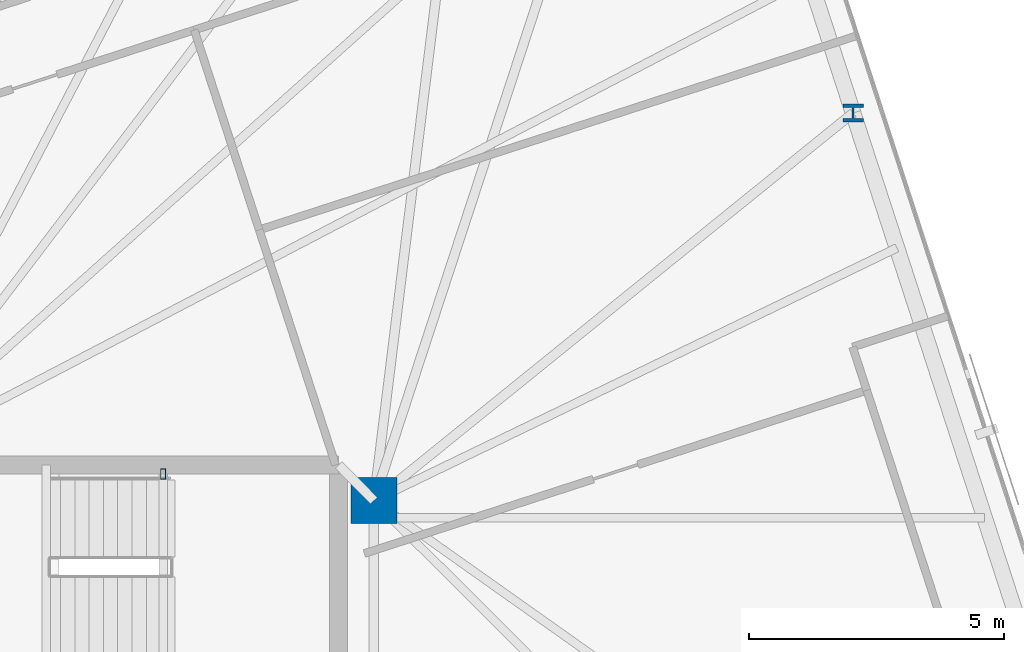
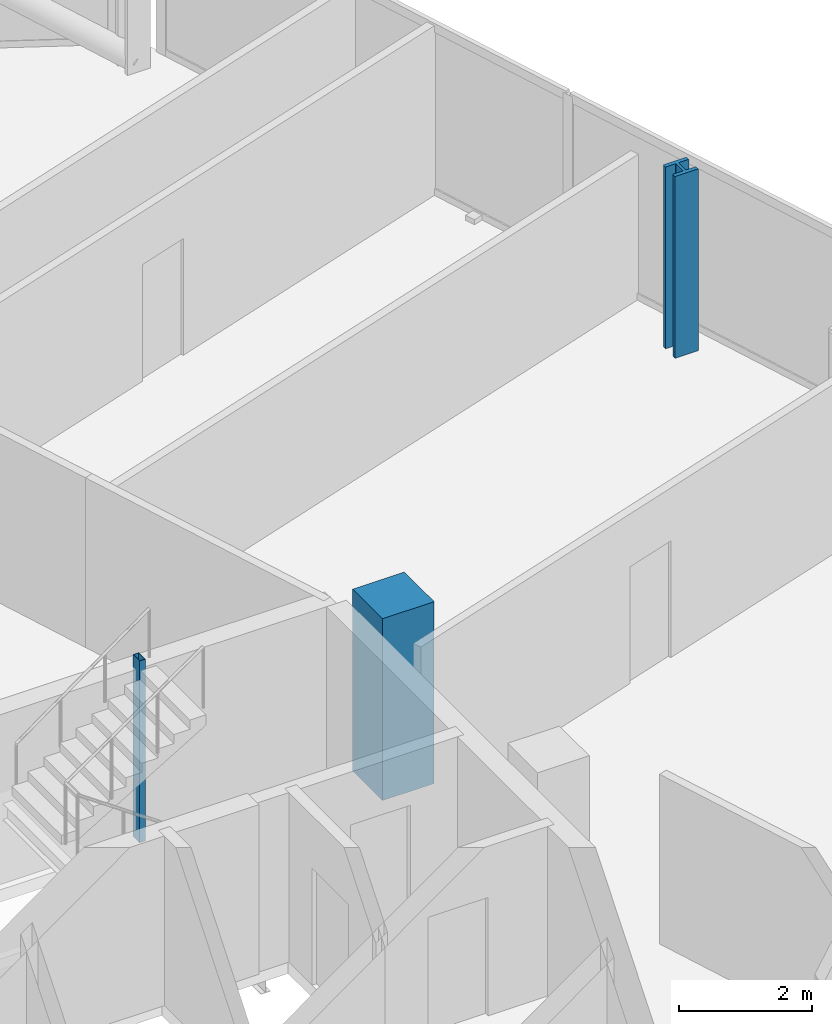
# One storey, part 3 of 19: 3 columns.
"""IFC4 building model written with IfcOpenShell, lengths in metres."""

from ifc_helpers import new_model, si_unit, direction, frame, origin, origin_2d, place, context, subcontext, project, spatial, rectangle, hollow_rectangle, i_section, extrude, material, material_profile, profile_set, type_object, element, save


model = new_model("IFC4")

# Units and contexts
model_context = context("Model", 3, precision=1e-05, world=origin(), true_north=direction((0.0, 1.0)))
body_context = subcontext(model_context, "Body", "Model", "MODEL_VIEW")
ifc_project = project(units=[si_unit("LENGTHUNIT", "METRE"), si_unit("AREAUNIT", "SQUARE_METRE"), si_unit("VOLUMEUNIT", "CUBIC_METRE"), si_unit("PLANEANGLEUNIT", "RADIAN"), si_unit("MASSUNIT", "GRAM", prefix="KILO")], contexts=[model_context])

# Site, building, storey
site_placement = place(None, origin())
site = spatial("IfcSite", under=ifc_project, at=site_placement, CompositionType="ELEMENT")
building_placement = place(site_placement, origin())
building = spatial("IfcBuilding", under=site, at=building_placement, Name="Menara Jurai Vektor", CompositionType="ELEMENT")
storey_placement = place(building_placement, frame((0.0, 0.0, 241.050048828125)))
storey = spatial("IfcBuildingStorey", under=building, at=storey_placement, Name="L64", CompositionType="ELEMENT", Elevation=241.050048828125)

# Columns
ifc_material_1 = material(Name="Concrete C50/60", Category="concrete")
ifc_material_profile_1 = material_profile(ifc_material_1, rectangle(XDim=0.89990234375, YDim=0.89990234375, at=origin_2d()), Name="RC 900x900")
ifc_profile_set_1 = profile_set([ifc_material_profile_1], Name="Concrete C50/60")
column_type_1 = type_object("IfcColumnType", Name="STR-COL-RC900", PredefinedType="COLUMN", material=ifc_profile_set_1)
column_1_placement = place(storey_placement, frame((15.25, 4.89990234375, 0.0), z_axis=(0.0, 0.0, 1.0), x_axis=(1.0, 0.0, 0.0)))
element("IfcColumn", 1, at=column_1_placement, inside=storey, type_object=column_type_1, Name="Core Spine Column CE-NE L64", PredefinedType="COLUMN", context=body_context, shape_type="SweptSolid", body=[
    extrude(rectangle(XDim=0.89990234375, YDim=0.89990234375, at=origin_2d()), origin(), (0.0, 0.0, 1.0), 3.349853515625),
])
ifc_material_2 = material(Name="Steel S355", Category="steel")
ifc_material_profile_2 = material_profile(ifc_material_2, hollow_rectangle(XDim=0.10009765625, YDim=0.199951171875, WallThickness=0.008056640625, at=origin_2d()), Name="RHS 200x100x8")
ifc_profile_set_2 = profile_set([ifc_material_profile_2], Name="Steel S355")
column_type_2 = type_object("IfcColumnType", Name="STR-COL-STAIR", PredefinedType="COLUMN", material=ifc_profile_set_2)
column_2_placement = place(storey_placement, frame((11.1201171875, 5.419921875, 0.0), z_axis=(0.0, 0.0, 1.0), x_axis=(1.0, 0.0, 0.0)))
element("IfcColumn", 2, at=column_2_placement, inside=storey, type_object=column_type_2, Name="Stair Well Header Column ST2-P2 L64", PredefinedType="COLUMN", context=body_context, shape_type="SweptSolid", body=[
    extrude(hollow_rectangle(XDim=0.10009765625, YDim=0.199951171875, WallThickness=0.008056640625, at=origin_2d()), origin(), (0.0, 0.0, 1.0), 3.349853515625),
])
ifc_material_3 = material(Name="Steel S460", Category="steel")
ifc_material_profile_3 = material_profile(ifc_material_3, i_section(OverallWidth=0.405029296875, OverallDepth=0.35498046875, WebThickness=0.0419921875, FlangeThickness=0.068115234375, FilletRadius=0.014892578125, at=origin_2d()), Name="HD 400x551")
ifc_profile_set_3 = profile_set([ifc_material_profile_3], Name="Steel S460")
column_type_3 = type_object("IfcColumnType", Name="STR-EXO-BLK4", PredefinedType="COLUMN", material=ifc_profile_set_3)
column_3_placement = place(storey_placement, frame((24.641845703125, 12.496826171875, 0.0), z_axis=(0.0, 0.0, 1.0), x_axis=(1.0, 0.0, 0.0)))
element("IfcColumn", 3, at=column_3_placement, inside=storey, type_object=column_type_3, Name="Exoskeleton Column BLK4-E3 L64", PredefinedType="COLUMN", context=body_context, shape_type="SweptSolid", body=[
    extrude(i_section(OverallWidth=0.405029296875, OverallDepth=0.35498046875, WebThickness=0.0419921875, FlangeThickness=0.068115234375, FilletRadius=0.014892578125, at=origin_2d()), origin(), (0.0, 0.0, 1.0), 3.349853515625),
])

save(model, "model.ifc")
